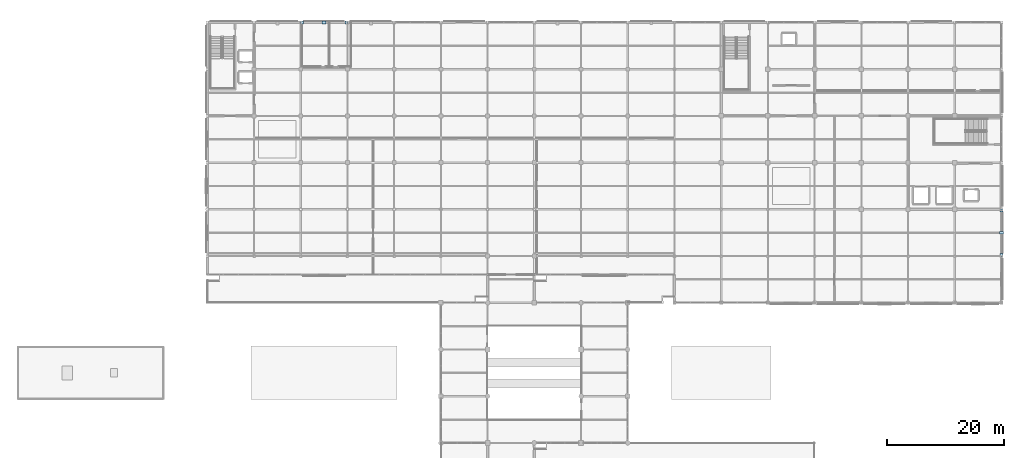
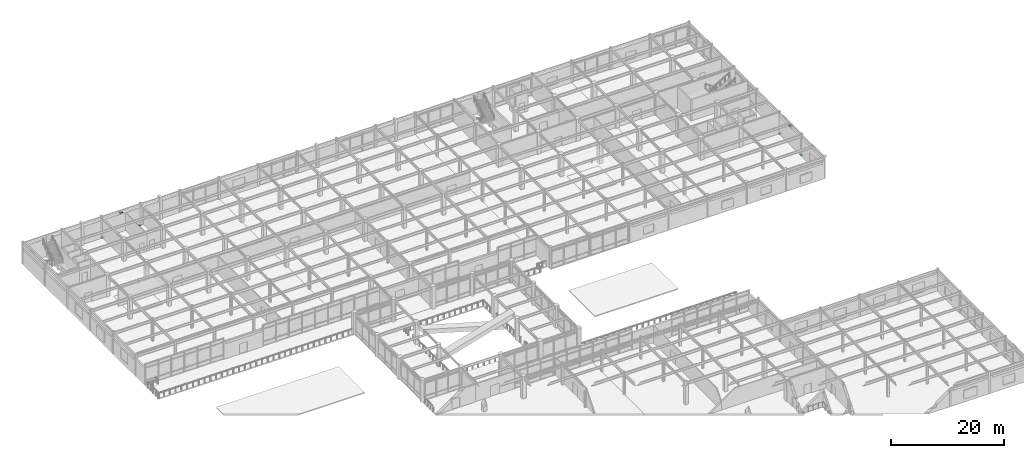
# One storey, part 89 of 117: 6 plates.
"""IFC4 building model written with IfcOpenShell, lengths in metres."""

from ifc_helpers import new_model, si_unit, direction, frame, origin, origin_2d, place, context, subcontext, project, spatial, rectangle, extrude, material, layer, layer_set, type_object, element, save


model = new_model("IFC4")

# Units and contexts
model_context = context("Model", 3, precision=1e-05, world=origin(), true_north=direction((0.0, 1.0)))
body_context = subcontext(model_context, "Body", "Model", "MODEL_VIEW")
ifc_project = project(units=[si_unit("LENGTHUNIT", "METRE"), si_unit("AREAUNIT", "SQUARE_METRE"), si_unit("VOLUMEUNIT", "CUBIC_METRE"), si_unit("PLANEANGLEUNIT", "RADIAN"), si_unit("MASSUNIT", "GRAM", prefix="KILO")], contexts=[model_context])

# Site, building, storey
site_placement = place(None, origin())
site = spatial("IfcSite", under=ifc_project, at=site_placement, CompositionType="ELEMENT")
building_placement = place(site_placement, origin())
building = spatial("IfcBuilding", under=site, at=building_placement, Name="Solmirada Galleria", CompositionType="ELEMENT")
storey_placement = place(building_placement, frame((0.0, 0.0, 5.60009765625)))
storey = spatial("IfcBuildingStorey", under=building, at=storey_placement, Name="L01", CompositionType="ELEMENT", Elevation=5.60009765625)

# Plates
ifc_material = material(Name="Steel S355 / ASTM A572 Grade 50", Category="steel")
ifc_layer_1 = layer(ifc_material, 0.028076171875)
ifc_layer_set_1 = layer_set([ifc_layer_1], Name="Steel S355 / ASTM A572 Grade 50")
plate_type_1 = type_object("IfcPlateType", Name="PLT-NODE-02", PredefinedType="SHEET", material=ifc_layer_set_1)
for number, where, z_axis, x_axis, name in (
    (1, (56.202880859375, 120.0, 0.005859375), (0.0, 0.0, 1.0), (1.0, 0.0, 0.0), "Braced frame gusset plate CBF-N1 L01 LA"),
    (2, (63.797119140625, 120.0, 0.005859375), (0.0, 0.0, 1.0), (1.0, 0.0, 0.0), "Braced frame gusset plate CBF-N1 L01 RA"),
    (3, (176.0, 80.177978515625, 0.005859375), (0.0, 0.0, 1.0), (1.0, 0.0, 0.0), "Braced frame gusset plate CBF-E1 L01 LA"),
    (4, (176.0, 87.797119140625, 0.005859375), (0.0, 0.0, 1.0), (1.0, 0.0, 0.0), "Braced frame gusset plate CBF-E1 L01 RA"),
):
    element("IfcPlate", number, at=place(storey_placement, frame(where, z_axis=z_axis, x_axis=x_axis)), inside=storey, type_object=plate_type_1, Name=name, PredefinedType="SHEET", context=body_context, shape_type="SweptSolid", body=[
        extrude(rectangle(XDim=0.47998046875, YDim=0.47998046875, at=origin_2d()), origin(), (0.0, 0.0, 1.0), 0.028076171875),
    ])
ifc_layer_2 = layer(ifc_material, 0.035888671875)
ifc_layer_set_2 = layer_set([ifc_layer_2], Name="Steel S355 / ASTM A572 Grade 50")
plate_type_2 = type_object("IfcPlateType", Name="PLT-NODE-04", PredefinedType="SHEET", material=ifc_layer_set_2)
for number, where, z_axis, x_axis, name in (
    (5, (60.0, 120.0, 4.10205078125), (0.0, 0.0, 1.0), (1.0, 0.0, 0.0), "Braced frame gusset plate CBF-N1 L01 AP"),
    (6, (176.0, 84.0, 4.10205078125), (0.0, 0.0, 1.0), (1.0, 0.0, 0.0), "Braced frame gusset plate CBF-E1 L01 AP"),
):
    element("IfcPlate", number, at=place(storey_placement, frame(where, z_axis=z_axis, x_axis=x_axis)), inside=storey, type_object=plate_type_2, Name=name, PredefinedType="SHEET", context=body_context, shape_type="SweptSolid", body=[
        extrude(rectangle(XDim=0.64990234375, YDim=0.449951171875, at=origin_2d()), origin(), (0.0, 0.0, 1.0), 0.035888671875),
    ])

save(model, "model.ifc")
